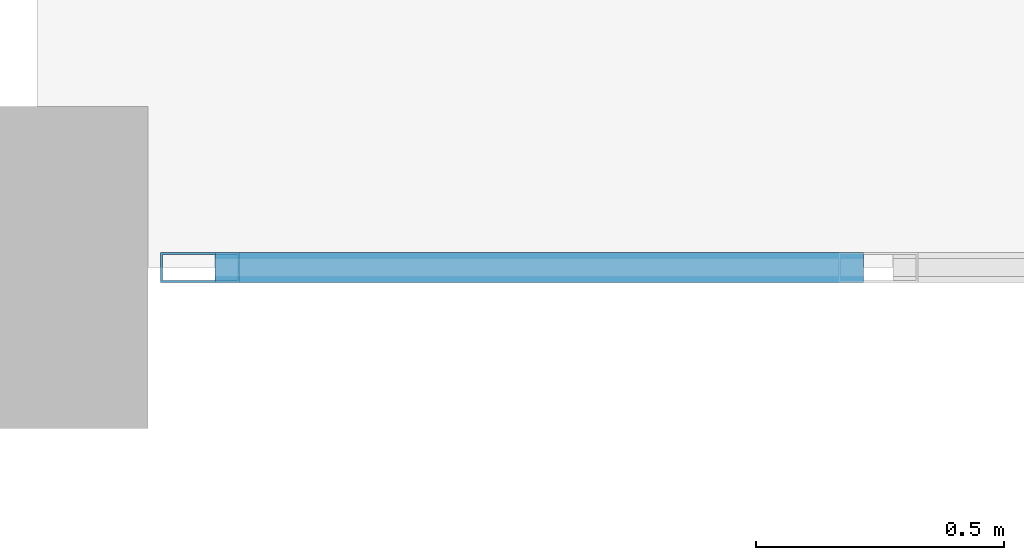
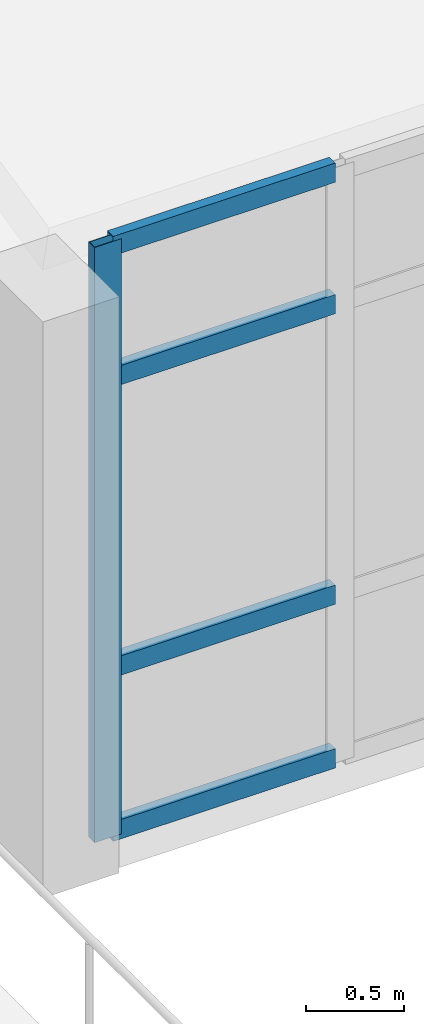
# One storey, part 26 of 156: 5 members, 1 element without a shape of its own.
"""IFC4 building model written with IfcOpenShell, lengths in metres."""

from ifc_helpers import new_model, si_unit, direction, frame, origin, origin_2d, place, context, subcontext, project, spatial, hollow_rectangle, extrude, material, layer, layer_set, material_profile, profile_set, type_object, element, aggregate, save


model = new_model("IFC4")

# Units and contexts
model_context = context("Model", 3, precision=1e-05, world=origin(), true_north=direction((0.0, 1.0)))
body_context = subcontext(model_context, "Body", "Model", "MODEL_VIEW")
ifc_project = project(units=[si_unit("LENGTHUNIT", "METRE"), si_unit("AREAUNIT", "SQUARE_METRE"), si_unit("VOLUMEUNIT", "CUBIC_METRE"), si_unit("PLANEANGLEUNIT", "RADIAN"), si_unit("MASSUNIT", "GRAM", prefix="KILO")], contexts=[model_context])

# Site, building, storey
site_placement = place(None, origin())
site = spatial("IfcSite", under=ifc_project, at=site_placement, CompositionType="ELEMENT")
building_placement = place(site_placement, origin())
building = spatial("IfcBuilding", under=site, at=building_placement, Name="Ornek Quay Market", CompositionType="ELEMENT")
storey_placement = place(building_placement, frame((0.0, 0.0, 4.5)))
storey = spatial("IfcBuildingStorey", under=building, at=storey_placement, Name="L01", CompositionType="ELEMENT", Elevation=4.5)

# Curtain wall, members
ifc_material_1 = material(Name="Anodised bronze aluminium and triple low-e glass", Category="aluminium")
ifc_layer = layer(ifc_material_1, 0.179931640625, Name="Anodised bronze aluminium and triple low-e glass", Category="aluminium")
ifc_layer_set = layer_set([ifc_layer], Name="Anodised bronze aluminium and triple low-e glass")
curtain_wall_type = type_object("IfcCurtainWallType", Name="CW-CONC-MOD1500", PredefinedType="USERDEFINED", material=ifc_layer_set)
curtain_wall_placement = place(storey_placement, origin())
curtain_wall = element("IfcCurtainWall", 1, at=curtain_wall_placement, inside=storey, type_object=curtain_wall_type, Name="Curtain wall CW-036", ObjectType="CURTAIN WALL", PredefinedType="USERDEFINED")
ifc_material_2 = material(Name="Anodised aluminium 6063-T6", Category="aluminium")
ifc_material_profile_1 = material_profile(ifc_material_2, hollow_rectangle(XDim=0.06005859375, YDim=0.159912109375, WallThickness=0.00390625, at=origin_2d()), Name="CW-MUL-60x160", Category="aluminium")
ifc_profile_set_1 = profile_set([ifc_material_profile_1], Name="Anodised aluminium 6063-T6")
member_type_1 = type_object("IfcMemberType", Name="CW-MUL-60x160", PredefinedType="MULLION", material=ifc_profile_set_1)
member_1_placement = place(storey_placement, frame((126.330078125, 20.0, 0.0), z_axis=(0.0, 0.0, 1.0), x_axis=(0.0, 1.0, 0.0)))
member_1 = element("IfcMember", 2, at=member_1_placement, type_object=member_type_1, Name="CW-036 mullion 1", PredefinedType="MULLION", context=body_context, shape_type="SweptSolid", body=[
    extrude(hollow_rectangle(XDim=0.06005859375, YDim=0.159912109375, WallThickness=0.00390625, at=origin_2d()), origin(), (0.0, 0.0, 1.0), 3.7099609375),
])
ifc_material_profile_2 = material_profile(ifc_material_2, hollow_rectangle(XDim=0.06005859375, YDim=0.1201171875, WallThickness=0.00390625, at=origin_2d()), Name="CW-TRN-60x120", Category="aluminium")
ifc_profile_set_2 = profile_set([ifc_material_profile_2], Name="Anodised aluminium 6063-T6")
member_type_2 = type_object("IfcMemberType", Name="CW-TRN-60x120", PredefinedType="USERDEFINED", material=ifc_profile_set_2)
member_2_placement = place(storey_placement, frame((126.360107421875, 20.0, 0.030029296875), z_axis=(1.0, 0.0, 0.0), x_axis=(0.0, 1.0, 0.0)))
member_2 = element("IfcMember", 3, at=member_2_placement, type_object=member_type_2, Name="CW-036 transom 1.1", ObjectType="TRANSOM", PredefinedType="USERDEFINED", context=body_context, shape_type="SweptSolid", body=[
    extrude(hollow_rectangle(XDim=0.06005859375, YDim=0.1201171875, WallThickness=0.00390625, at=origin_2d()), origin(), (0.0, 0.0, 1.0), 1.309814453125),
])
member_3_placement = place(storey_placement, frame((126.360107421875, 20.0, 1.050048828125), z_axis=(1.0, 0.0, 0.0), x_axis=(0.0, 1.0, 0.0)))
member_3 = element("IfcMember", 4, at=member_3_placement, type_object=member_type_2, Name="CW-036 transom 1.2", ObjectType="TRANSOM", PredefinedType="USERDEFINED", context=body_context, shape_type="SweptSolid", body=[
    extrude(hollow_rectangle(XDim=0.06005859375, YDim=0.1201171875, WallThickness=0.00390625, at=origin_2d()), origin(), (0.0, 0.0, 1.0), 1.309814453125),
])
member_4_placement = place(storey_placement, frame((126.360107421875, 20.0, 2.860107421875), z_axis=(1.0, 0.0, 0.0), x_axis=(0.0, 1.0, 0.0)))
member_4 = element("IfcMember", 5, at=member_4_placement, type_object=member_type_2, Name="CW-036 transom 1.3", ObjectType="TRANSOM", PredefinedType="USERDEFINED", context=body_context, shape_type="SweptSolid", body=[
    extrude(hollow_rectangle(XDim=0.06005859375, YDim=0.1201171875, WallThickness=0.00390625, at=origin_2d()), origin(), (0.0, 0.0, 1.0), 1.309814453125),
])
member_5_placement = place(storey_placement, frame((126.360107421875, 20.0, 3.679931640625), z_axis=(1.0, 0.0, 0.0), x_axis=(0.0, 1.0, 0.0)))
member_5 = element("IfcMember", 6, at=member_5_placement, type_object=member_type_2, Name="CW-036 transom 1.4", ObjectType="TRANSOM", PredefinedType="USERDEFINED", context=body_context, shape_type="SweptSolid", body=[
    extrude(hollow_rectangle(XDim=0.06005859375, YDim=0.1201171875, WallThickness=0.00390625, at=origin_2d()), origin(), (0.0, 0.0, 1.0), 1.309814453125),
])
aggregate(curtain_wall, [member_1, member_2, member_3, member_4, member_5])

save(model, "model.ifc")
